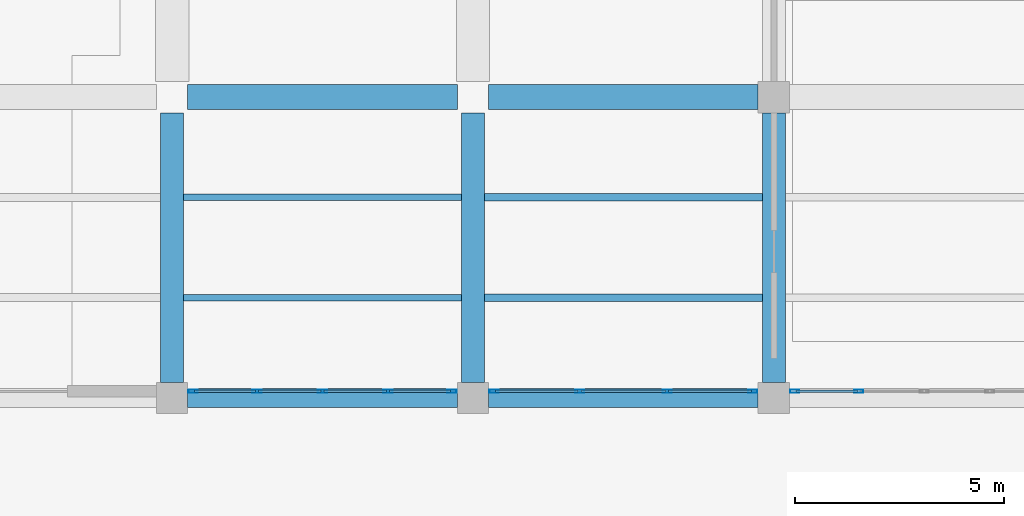
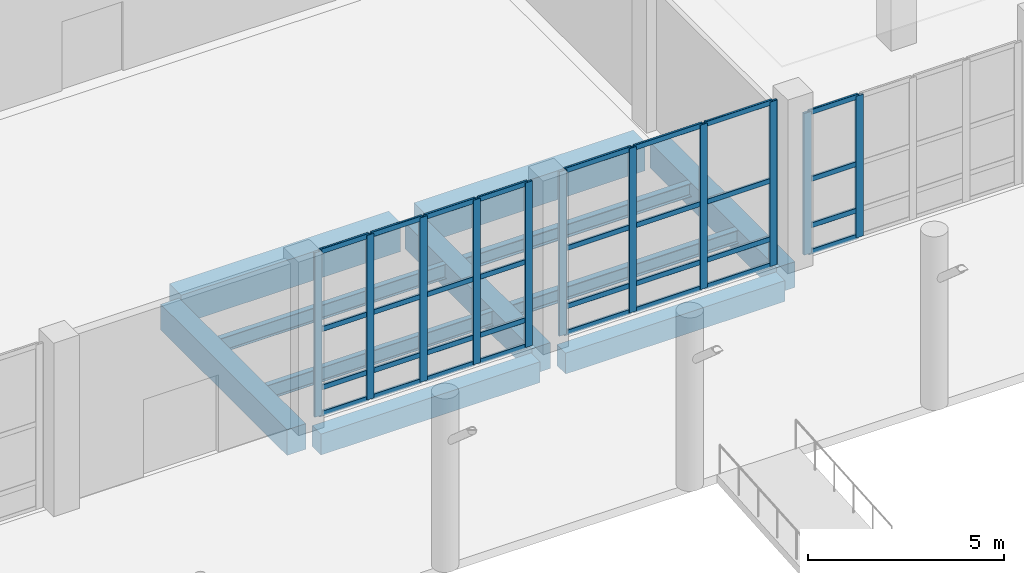
# One storey, part 26 of 137: 43 members, 11 beams, 3 elements without a shape of their own.
"""IFC4 building model written with IfcOpenShell, lengths in metres."""

from ifc_helpers import new_model, si_unit, direction, frame, origin, origin_2d, place, context, subcontext, project, spatial, rectangle, hollow_rectangle, i_section, extrude, material, material_profile, profile_set, type_object, element, aggregate, save


model = new_model("IFC4")

# Units and contexts
model_context = context("Model", 3, precision=1e-05, world=origin(), true_north=direction((0.0, 1.0)))
body_context = subcontext(model_context, "Body", "Model", "MODEL_VIEW")
ifc_project = project(units=[si_unit("LENGTHUNIT", "METRE"), si_unit("AREAUNIT", "SQUARE_METRE"), si_unit("VOLUMEUNIT", "CUBIC_METRE"), si_unit("PLANEANGLEUNIT", "RADIAN"), si_unit("MASSUNIT", "GRAM", prefix="KILO")], contexts=[model_context])

# Site, building, storey
site_placement = place(None, origin())
site = spatial("IfcSite", under=ifc_project, at=site_placement, CompositionType="ELEMENT")
building_placement = place(site_placement, origin())
building = spatial("IfcBuilding", under=site, at=building_placement, Name="Kalmorath City Hall", CompositionType="ELEMENT")
storey_placement = place(building_placement, origin())
storey = spatial("IfcBuildingStorey", under=building, at=storey_placement, Name="L00", CompositionType="ELEMENT", Elevation=0.0)

# Beams
ifc_material_1 = material(Name="Concrete C40/50", Category="concrete")
ifc_material_profile_1 = material_profile(ifc_material_1, rectangle(XDim=0.550048828125, YDim=0.800048828125, at=origin_2d()), Name="RC-BM-550X800")
ifc_profile_set_1 = profile_set([ifc_material_profile_1], Name="Concrete C40/50")
beam_type_1 = type_object("IfcBeamType", Name="Concrete floor girder 550x800", PredefinedType="BEAM", material=ifc_profile_set_1)
for number, where, z_axis, x_axis, name in (
    (1, (64.800048828125, 21.97509765625, -0.7041015625), (0.0, 1.0, 0.0), (-1.0, 0.0, 0.0), "L00 girder CB2 Y10/4-5"),
    (2, (72.0, 21.97509765625, -0.7041015625), (0.0, 1.0, 0.0), (-1.0, 0.0, 0.0), "L00 girder CB2 Y11/4-5"),
    (3, (79.199951171875, 21.97509765625, -0.7041015625), (0.0, 1.0, 0.0), (-1.0, 0.0, 0.0), "L00 girder CB2 Y12/4-5"),
):
    element("IfcBeam", number, at=place(storey_placement, frame(where, z_axis=z_axis, x_axis=x_axis)), inside=storey, type_object=beam_type_1, Name=name, PredefinedType="BEAM", context=body_context, shape_type="SweptSolid", body=[
        extrude(rectangle(XDim=0.550048828125, YDim=0.800048828125, at=origin_2d()), origin(), (0.0, 0.0, 1.0), 6.449951171875),
    ])
ifc_material_2 = material(Name="Concrete C40/50", Category="concrete")
ifc_material_profile_2 = material_profile(ifc_material_2, rectangle(XDim=0.60009765625, YDim=0.89990234375, at=origin_2d()), Name="RC-BM-600X900")
ifc_profile_set_2 = profile_set([ifc_material_profile_2], Name="Concrete C40/50")
beam_type_2 = type_object("IfcBeamType", Name="Concrete floor girder 600x900", PredefinedType="BEAM", material=ifc_profile_set_2)
for number, where, z_axis, x_axis, name in (
    (4, (65.175048828125, 28.800048828125, -0.75390625), (1.0, 0.0, 0.0), (0.0, 1.0, 0.0), "L00 girder CB1 X10-11/5"),
    (5, (72.375, 28.800048828125, -0.75390625), (1.0, 0.0, 0.0), (0.0, 1.0, 0.0), "L00 girder CB1 X11-12/5"),
):
    element("IfcBeam", number, at=place(storey_placement, frame(where, z_axis=z_axis, x_axis=x_axis)), inside=storey, type_object=beam_type_2, Name=name, PredefinedType="BEAM", context=body_context, shape_type="SweptSolid", body=[
        extrude(rectangle(XDim=0.60009765625, YDim=0.89990234375, at=origin_2d()), origin(), (0.0, 0.0, 1.0), 6.449951171875),
    ])
ifc_material_3 = material(Name="Concrete C40/50", Category="concrete")
ifc_material_profile_3 = material_profile(ifc_material_3, rectangle(XDim=0.449951171875, YDim=0.64990234375, at=origin_2d()), Name="RC-BM-450X650")
ifc_profile_set_3 = profile_set([ifc_material_profile_3], Name="Concrete C40/50")
beam_type_3 = type_object("IfcBeamType", Name="Concrete spandrel beam 450x650", PredefinedType="SPANDREL", material=ifc_profile_set_3)
for number, where, z_axis, x_axis, name in (
    (6, (65.175048828125, 21.60009765625, -0.62890625), (1.0, 0.0, 0.0), (0.0, 1.0, 0.0), "L00 girder CB5 X10-11/4"),
    (7, (72.375, 21.60009765625, -0.62890625), (1.0, 0.0, 0.0), (0.0, 1.0, 0.0), "L00 girder CB5 X11-12/4"),
):
    element("IfcBeam", number, at=place(storey_placement, frame(where, z_axis=z_axis, x_axis=x_axis)), inside=storey, type_object=beam_type_3, Name=name, PredefinedType="SPANDREL", context=body_context, shape_type="SweptSolid", body=[
        extrude(rectangle(XDim=0.449951171875, YDim=0.64990234375, at=origin_2d()), origin(), (0.0, 0.0, 1.0), 6.449951171875),
    ])

# Curtain wall, members
ifc_material_4 = material(Name="Anodised aluminium and laminated glass", Category="aluminium")
curtain_wall_type_1 = type_object("IfcCurtainWallType", Name="Unitised hurricane curtain wall 6270x4411 M1500", PredefinedType="NOTDEFINED", material=ifc_material_4)
curtain_wall_1_placement = place(storey_placement, origin())
curtain_wall_1 = element("IfcCurtainWall", 8, at=curtain_wall_1_placement, inside=storey, type_object=curtain_wall_type_1, Name="L00 curtain wall CW-63X44M15 #21", PredefinedType="NOTDEFINED")
ifc_material_5 = material(Name="Anodised aluminium framing", Category="aluminium")
ifc_material_profile_4 = material_profile(ifc_material_5, hollow_rectangle(XDim=0.074951171875, YDim=0.219970703125, WallThickness=0.00390625, InnerFilletRadius=0.00390625, OuterFilletRadius=0.008056640625, at=origin_2d()), Name="ALU-MUL-220X75X4")
ifc_profile_set_4 = profile_set([ifc_material_profile_4], Name="Anodised aluminium framing")
member_type_1 = type_object("IfcMemberType", Name="Curtain-wall primary mullion 220x75", PredefinedType="MULLION", material=ifc_profile_set_4)
member_1_placement = place(storey_placement, frame((81.232421875, 21.760009765625, 0.0), z_axis=(0.0, 0.0, 1.0), x_axis=(0.0, -1.0, 0.0)))
member_1 = element("IfcMember", 9, at=member_1_placement, type_object=member_type_1, Name="CW-63X44M15 mullion 4", PredefinedType="MULLION", context=body_context, shape_type="SweptSolid", body=[
    extrude(hollow_rectangle(XDim=0.074951171875, YDim=0.219970703125, WallThickness=0.00390625, InnerFilletRadius=0.00390625, OuterFilletRadius=0.008056640625, at=origin_2d()), origin(), (0.0, 0.0, 1.0), 4.410888671875),
])
member_2_placement = place(storey_placement, frame((79.702392578125, 21.760009765625, 0.0), z_axis=(0.0, 0.0, 1.0), x_axis=(0.0, -1.0, 0.0)))
member_2 = element("IfcMember", 10, at=member_2_placement, type_object=member_type_1, Name="CW-63X44M15 mullion 5", PredefinedType="MULLION", context=body_context, shape_type="SweptSolid", body=[
    extrude(hollow_rectangle(XDim=0.074951171875, YDim=0.219970703125, WallThickness=0.00390625, InnerFilletRadius=0.00390625, OuterFilletRadius=0.008056640625, at=origin_2d()), origin(), (0.0, 0.0, 1.0), 4.410888671875),
])

ifc_material_6 = material(Name="Anodised aluminium and laminated glass", Category="aluminium")
curtain_wall_type_2 = type_object("IfcCurtainWallType", Name="Unitised hurricane curtain wall 6270x5120 M2100", PredefinedType="NOTDEFINED", material=ifc_material_6)
curtain_wall_2_placement = place(storey_placement, origin())
curtain_wall_2 = element("IfcCurtainWall", 11, at=curtain_wall_2_placement, inside=storey, type_object=curtain_wall_type_2, Name="L00 curtain wall CW-63X51M21 #22", PredefinedType="NOTDEFINED")
member_3_placement = place(storey_placement, frame((78.697509765625, 21.760009765625, 0.0), z_axis=(0.0, 0.0, 1.0), x_axis=(0.0, -1.0, 0.0)))
member_3 = element("IfcMember", 12, at=member_3_placement, type_object=member_type_1, Name="CW-63X51M21 mullion 1", PredefinedType="MULLION", context=body_context, shape_type="SweptSolid", body=[
    extrude(hollow_rectangle(XDim=0.074951171875, YDim=0.219970703125, WallThickness=0.00390625, InnerFilletRadius=0.00390625, OuterFilletRadius=0.008056640625, at=origin_2d()), origin(), (0.0, 0.0, 1.0), 5.1201171875),
])
member_4_placement = place(storey_placement, frame((76.64501953125, 21.760009765625, 0.0), z_axis=(0.0, 0.0, 1.0), x_axis=(0.0, -1.0, 0.0)))
member_4 = element("IfcMember", 13, at=member_4_placement, type_object=member_type_1, Name="CW-63X51M21 mullion 2", PredefinedType="MULLION", context=body_context, shape_type="SweptSolid", body=[
    extrude(hollow_rectangle(XDim=0.074951171875, YDim=0.219970703125, WallThickness=0.00390625, InnerFilletRadius=0.00390625, OuterFilletRadius=0.008056640625, at=origin_2d()), origin(), (0.0, 0.0, 1.0), 5.1201171875),
])
member_5_placement = place(storey_placement, frame((74.554931640625, 21.760009765625, 0.0), z_axis=(0.0, 0.0, 1.0), x_axis=(0.0, -1.0, 0.0)))
member_5 = element("IfcMember", 14, at=member_5_placement, type_object=member_type_1, Name="CW-63X51M21 mullion 3", PredefinedType="MULLION", context=body_context, shape_type="SweptSolid", body=[
    extrude(hollow_rectangle(XDim=0.074951171875, YDim=0.219970703125, WallThickness=0.00390625, InnerFilletRadius=0.00390625, OuterFilletRadius=0.008056640625, at=origin_2d()), origin(), (0.0, 0.0, 1.0), 5.1201171875),
])
member_6_placement = place(storey_placement, frame((72.50244140625, 21.760009765625, 0.0), z_axis=(0.0, 0.0, 1.0), x_axis=(0.0, -1.0, 0.0)))
member_6 = element("IfcMember", 15, at=member_6_placement, type_object=member_type_1, Name="CW-63X51M21 mullion 4", PredefinedType="MULLION", context=body_context, shape_type="SweptSolid", body=[
    extrude(hollow_rectangle(XDim=0.074951171875, YDim=0.219970703125, WallThickness=0.00390625, InnerFilletRadius=0.00390625, OuterFilletRadius=0.008056640625, at=origin_2d()), origin(), (0.0, 0.0, 1.0), 5.1201171875),
])

ifc_material_7 = material(Name="Anodised aluminium and laminated glass", Category="aluminium")
curtain_wall_type_3 = type_object("IfcCurtainWallType", Name="Unitised hurricane curtain wall 6270x5120 M1500", PredefinedType="NOTDEFINED", material=ifc_material_7)
curtain_wall_3_placement = place(storey_placement, origin())
curtain_wall_3 = element("IfcCurtainWall", 16, at=curtain_wall_3_placement, inside=storey, type_object=curtain_wall_type_3, Name="L00 curtain wall CW-63X51M15 #23", PredefinedType="NOTDEFINED")
member_7_placement = place(storey_placement, frame((71.49755859375, 21.760009765625, 0.0), z_axis=(0.0, 0.0, 1.0), x_axis=(0.0, -1.0, 0.0)))
member_7 = element("IfcMember", 17, at=member_7_placement, type_object=member_type_1, Name="CW-63X51M15 mullion 1", PredefinedType="MULLION", context=body_context, shape_type="SweptSolid", body=[
    extrude(hollow_rectangle(XDim=0.074951171875, YDim=0.219970703125, WallThickness=0.00390625, InnerFilletRadius=0.00390625, OuterFilletRadius=0.008056640625, at=origin_2d()), origin(), (0.0, 0.0, 1.0), 5.1201171875),
])
member_8_placement = place(storey_placement, frame((69.967529296875, 21.760009765625, 0.0), z_axis=(0.0, 0.0, 1.0), x_axis=(0.0, -1.0, 0.0)))
member_8 = element("IfcMember", 18, at=member_8_placement, type_object=member_type_1, Name="CW-63X51M15 mullion 2", PredefinedType="MULLION", context=body_context, shape_type="SweptSolid", body=[
    extrude(hollow_rectangle(XDim=0.074951171875, YDim=0.219970703125, WallThickness=0.00390625, InnerFilletRadius=0.00390625, OuterFilletRadius=0.008056640625, at=origin_2d()), origin(), (0.0, 0.0, 1.0), 5.1201171875),
])
member_9_placement = place(storey_placement, frame((68.39990234375, 21.760009765625, 0.0), z_axis=(0.0, 0.0, 1.0), x_axis=(0.0, -1.0, 0.0)))
member_9 = element("IfcMember", 19, at=member_9_placement, type_object=member_type_1, Name="CW-63X51M15 mullion 3", PredefinedType="MULLION", context=body_context, shape_type="SweptSolid", body=[
    extrude(hollow_rectangle(XDim=0.074951171875, YDim=0.219970703125, WallThickness=0.00390625, InnerFilletRadius=0.00390625, OuterFilletRadius=0.008056640625, at=origin_2d()), origin(), (0.0, 0.0, 1.0), 5.1201171875),
])
member_10_placement = place(storey_placement, frame((66.83251953125, 21.760009765625, 0.0), z_axis=(0.0, 0.0, 1.0), x_axis=(0.0, -1.0, 0.0)))
member_10 = element("IfcMember", 20, at=member_10_placement, type_object=member_type_1, Name="CW-63X51M15 mullion 4", PredefinedType="MULLION", context=body_context, shape_type="SweptSolid", body=[
    extrude(hollow_rectangle(XDim=0.074951171875, YDim=0.219970703125, WallThickness=0.00390625, InnerFilletRadius=0.00390625, OuterFilletRadius=0.008056640625, at=origin_2d()), origin(), (0.0, 0.0, 1.0), 5.1201171875),
])
member_11_placement = place(storey_placement, frame((65.302490234375, 21.760009765625, 0.0), z_axis=(0.0, 0.0, 1.0), x_axis=(0.0, -1.0, 0.0)))
member_11 = element("IfcMember", 21, at=member_11_placement, type_object=member_type_1, Name="CW-63X51M15 mullion 5", PredefinedType="MULLION", context=body_context, shape_type="SweptSolid", body=[
    extrude(hollow_rectangle(XDim=0.074951171875, YDim=0.219970703125, WallThickness=0.00390625, InnerFilletRadius=0.00390625, OuterFilletRadius=0.008056640625, at=origin_2d()), origin(), (0.0, 0.0, 1.0), 5.1201171875),
])

# Member
ifc_material_8 = material(Name="Anodised aluminium framing", Category="aluminium")
ifc_material_profile_5 = material_profile(ifc_material_8, hollow_rectangle(XDim=0.06494140625, YDim=0.159912109375, WallThickness=0.00390625, InnerFilletRadius=0.00390625, OuterFilletRadius=0.008056640625, at=origin_2d()), Name="ALU-TRN-160X65X4")
ifc_profile_set_5 = profile_set([ifc_material_profile_5], Name="Anodised aluminium framing")
member_type_2 = type_object("IfcMemberType", Name="Curtain-wall primary transom 160x65", PredefinedType="USERDEFINED", material=ifc_profile_set_5)
member_12_placement = place(storey_placement, frame((81.195068359375, 21.760009765625, 0.032470703125), z_axis=(-1.0, 0.0, 0.0), x_axis=(0.0, -1.0, 0.0)))
member_12 = element("IfcMember", 22, at=member_12_placement, type_object=member_type_2, Name="CW-63X44M15 transom 4.1", ObjectType="TRANSOM", PredefinedType="USERDEFINED", context=body_context, shape_type="SweptSolid", body=[
    extrude(hollow_rectangle(XDim=0.06494140625, YDim=0.159912109375, WallThickness=0.00390625, InnerFilletRadius=0.00390625, OuterFilletRadius=0.008056640625, at=origin_2d()), origin(), (0.0, 0.0, 1.0), 1.455078125),
])

member_13_placement = place(storey_placement, frame((81.195068359375, 21.760009765625, 0.85009765625), z_axis=(-1.0, 0.0, 0.0), x_axis=(0.0, -1.0, 0.0)))
member_13 = element("IfcMember", 23, at=member_13_placement, type_object=member_type_2, Name="CW-63X44M15 transom 4.2", ObjectType="TRANSOM", PredefinedType="USERDEFINED", context=body_context, shape_type="SweptSolid", body=[
    extrude(hollow_rectangle(XDim=0.06494140625, YDim=0.159912109375, WallThickness=0.00390625, InnerFilletRadius=0.00390625, OuterFilletRadius=0.008056640625, at=origin_2d()), origin(), (0.0, 0.0, 1.0), 1.455078125),
])

member_14_placement = place(storey_placement, frame((81.195068359375, 21.760009765625, 2.2939453125), z_axis=(-1.0, 0.0, 0.0), x_axis=(0.0, -1.0, 0.0)))
member_14 = element("IfcMember", 24, at=member_14_placement, type_object=member_type_2, Name="CW-63X44M15 transom 4.3", ObjectType="TRANSOM", PredefinedType="USERDEFINED", context=body_context, shape_type="SweptSolid", body=[
    extrude(hollow_rectangle(XDim=0.06494140625, YDim=0.159912109375, WallThickness=0.00390625, InnerFilletRadius=0.00390625, OuterFilletRadius=0.008056640625, at=origin_2d()), origin(), (0.0, 0.0, 1.0), 1.455078125),
])

member_15_placement = place(storey_placement, frame((81.195068359375, 21.760009765625, 4.37841796875), z_axis=(-1.0, 0.0, 0.0), x_axis=(0.0, -1.0, 0.0)))
member_15 = element("IfcMember", 25, at=member_15_placement, type_object=member_type_2, Name="CW-63X44M15 transom 4.4", ObjectType="TRANSOM", PredefinedType="USERDEFINED", context=body_context, shape_type="SweptSolid", body=[
    extrude(hollow_rectangle(XDim=0.06494140625, YDim=0.159912109375, WallThickness=0.00390625, InnerFilletRadius=0.00390625, OuterFilletRadius=0.008056640625, at=origin_2d()), origin(), (0.0, 0.0, 1.0), 1.455078125),
])

aggregate(curtain_wall_1, [member_1, member_2, member_12, member_13, member_14, member_15])

member_16_placement = place(storey_placement, frame((78.659912109375, 21.760009765625, 0.032470703125), z_axis=(-1.0, 0.0, 0.0), x_axis=(0.0, -1.0, 0.0)))
member_16 = element("IfcMember", 26, at=member_16_placement, type_object=member_type_2, Name="CW-63X51M21 transom 1.1", ObjectType="TRANSOM", PredefinedType="USERDEFINED", context=body_context, shape_type="SweptSolid", body=[
    extrude(hollow_rectangle(XDim=0.06494140625, YDim=0.159912109375, WallThickness=0.00390625, InnerFilletRadius=0.00390625, OuterFilletRadius=0.008056640625, at=origin_2d()), origin(), (0.0, 0.0, 1.0), 1.977294921875),
])

member_17_placement = place(storey_placement, frame((78.659912109375, 21.760009765625, 0.85009765625), z_axis=(-1.0, 0.0, 0.0), x_axis=(0.0, -1.0, 0.0)))
member_17 = element("IfcMember", 27, at=member_17_placement, type_object=member_type_2, Name="CW-63X51M21 transom 1.2", ObjectType="TRANSOM", PredefinedType="USERDEFINED", context=body_context, shape_type="SweptSolid", body=[
    extrude(hollow_rectangle(XDim=0.06494140625, YDim=0.159912109375, WallThickness=0.00390625, InnerFilletRadius=0.00390625, OuterFilletRadius=0.008056640625, at=origin_2d()), origin(), (0.0, 0.0, 1.0), 1.977294921875),
])

member_18_placement = place(storey_placement, frame((78.659912109375, 21.760009765625, 2.662109375), z_axis=(-1.0, 0.0, 0.0), x_axis=(0.0, -1.0, 0.0)))
member_18 = element("IfcMember", 28, at=member_18_placement, type_object=member_type_2, Name="CW-63X51M21 transom 1.3", ObjectType="TRANSOM", PredefinedType="USERDEFINED", context=body_context, shape_type="SweptSolid", body=[
    extrude(hollow_rectangle(XDim=0.06494140625, YDim=0.159912109375, WallThickness=0.00390625, InnerFilletRadius=0.00390625, OuterFilletRadius=0.008056640625, at=origin_2d()), origin(), (0.0, 0.0, 1.0), 1.977294921875),
])

member_19_placement = place(storey_placement, frame((78.659912109375, 21.760009765625, 5.08740234375), z_axis=(-1.0, 0.0, 0.0), x_axis=(0.0, -1.0, 0.0)))
member_19 = element("IfcMember", 29, at=member_19_placement, type_object=member_type_2, Name="CW-63X51M21 transom 1.4", ObjectType="TRANSOM", PredefinedType="USERDEFINED", context=body_context, shape_type="SweptSolid", body=[
    extrude(hollow_rectangle(XDim=0.06494140625, YDim=0.159912109375, WallThickness=0.00390625, InnerFilletRadius=0.00390625, OuterFilletRadius=0.008056640625, at=origin_2d()), origin(), (0.0, 0.0, 1.0), 1.977294921875),
])

member_20_placement = place(storey_placement, frame((76.607421875, 21.760009765625, 0.032470703125), z_axis=(-1.0, 0.0, 0.0), x_axis=(0.0, -1.0, 0.0)))
member_20 = element("IfcMember", 30, at=member_20_placement, type_object=member_type_2, Name="CW-63X51M21 transom 2.1", ObjectType="TRANSOM", PredefinedType="USERDEFINED", context=body_context, shape_type="SweptSolid", body=[
    extrude(hollow_rectangle(XDim=0.06494140625, YDim=0.159912109375, WallThickness=0.00390625, InnerFilletRadius=0.00390625, OuterFilletRadius=0.008056640625, at=origin_2d()), origin(), (0.0, 0.0, 1.0), 2.014892578125),
])

member_21_placement = place(storey_placement, frame((76.607421875, 21.760009765625, 0.85009765625), z_axis=(-1.0, 0.0, 0.0), x_axis=(0.0, -1.0, 0.0)))
member_21 = element("IfcMember", 31, at=member_21_placement, type_object=member_type_2, Name="CW-63X51M21 transom 2.2", ObjectType="TRANSOM", PredefinedType="USERDEFINED", context=body_context, shape_type="SweptSolid", body=[
    extrude(hollow_rectangle(XDim=0.06494140625, YDim=0.159912109375, WallThickness=0.00390625, InnerFilletRadius=0.00390625, OuterFilletRadius=0.008056640625, at=origin_2d()), origin(), (0.0, 0.0, 1.0), 2.014892578125),
])

member_22_placement = place(storey_placement, frame((76.607421875, 21.760009765625, 2.662109375), z_axis=(-1.0, 0.0, 0.0), x_axis=(0.0, -1.0, 0.0)))
member_22 = element("IfcMember", 32, at=member_22_placement, type_object=member_type_2, Name="CW-63X51M21 transom 2.3", ObjectType="TRANSOM", PredefinedType="USERDEFINED", context=body_context, shape_type="SweptSolid", body=[
    extrude(hollow_rectangle(XDim=0.06494140625, YDim=0.159912109375, WallThickness=0.00390625, InnerFilletRadius=0.00390625, OuterFilletRadius=0.008056640625, at=origin_2d()), origin(), (0.0, 0.0, 1.0), 2.014892578125),
])

member_23_placement = place(storey_placement, frame((76.607421875, 21.760009765625, 5.08740234375), z_axis=(-1.0, 0.0, 0.0), x_axis=(0.0, -1.0, 0.0)))
member_23 = element("IfcMember", 33, at=member_23_placement, type_object=member_type_2, Name="CW-63X51M21 transom 2.4", ObjectType="TRANSOM", PredefinedType="USERDEFINED", context=body_context, shape_type="SweptSolid", body=[
    extrude(hollow_rectangle(XDim=0.06494140625, YDim=0.159912109375, WallThickness=0.00390625, InnerFilletRadius=0.00390625, OuterFilletRadius=0.008056640625, at=origin_2d()), origin(), (0.0, 0.0, 1.0), 2.014892578125),
])

member_24_placement = place(storey_placement, frame((74.517578125, 21.760009765625, 0.032470703125), z_axis=(-1.0, 0.0, 0.0), x_axis=(0.0, -1.0, 0.0)))
member_24 = element("IfcMember", 34, at=member_24_placement, type_object=member_type_2, Name="CW-63X51M21 transom 3.1", ObjectType="TRANSOM", PredefinedType="USERDEFINED", context=body_context, shape_type="SweptSolid", body=[
    extrude(hollow_rectangle(XDim=0.06494140625, YDim=0.159912109375, WallThickness=0.00390625, InnerFilletRadius=0.00390625, OuterFilletRadius=0.008056640625, at=origin_2d()), origin(), (0.0, 0.0, 1.0), 1.9775390625),
])

member_25_placement = place(storey_placement, frame((74.517578125, 21.760009765625, 0.85009765625), z_axis=(-1.0, 0.0, 0.0), x_axis=(0.0, -1.0, 0.0)))
member_25 = element("IfcMember", 35, at=member_25_placement, type_object=member_type_2, Name="CW-63X51M21 transom 3.2", ObjectType="TRANSOM", PredefinedType="USERDEFINED", context=body_context, shape_type="SweptSolid", body=[
    extrude(hollow_rectangle(XDim=0.06494140625, YDim=0.159912109375, WallThickness=0.00390625, InnerFilletRadius=0.00390625, OuterFilletRadius=0.008056640625, at=origin_2d()), origin(), (0.0, 0.0, 1.0), 1.9775390625),
])

member_26_placement = place(storey_placement, frame((74.517578125, 21.760009765625, 2.662109375), z_axis=(-1.0, 0.0, 0.0), x_axis=(0.0, -1.0, 0.0)))
member_26 = element("IfcMember", 36, at=member_26_placement, type_object=member_type_2, Name="CW-63X51M21 transom 3.3", ObjectType="TRANSOM", PredefinedType="USERDEFINED", context=body_context, shape_type="SweptSolid", body=[
    extrude(hollow_rectangle(XDim=0.06494140625, YDim=0.159912109375, WallThickness=0.00390625, InnerFilletRadius=0.00390625, OuterFilletRadius=0.008056640625, at=origin_2d()), origin(), (0.0, 0.0, 1.0), 1.9775390625),
])

member_27_placement = place(storey_placement, frame((74.517578125, 21.760009765625, 5.08740234375), z_axis=(-1.0, 0.0, 0.0), x_axis=(0.0, -1.0, 0.0)))
member_27 = element("IfcMember", 37, at=member_27_placement, type_object=member_type_2, Name="CW-63X51M21 transom 3.4", ObjectType="TRANSOM", PredefinedType="USERDEFINED", context=body_context, shape_type="SweptSolid", body=[
    extrude(hollow_rectangle(XDim=0.06494140625, YDim=0.159912109375, WallThickness=0.00390625, InnerFilletRadius=0.00390625, OuterFilletRadius=0.008056640625, at=origin_2d()), origin(), (0.0, 0.0, 1.0), 1.9775390625),
])

aggregate(curtain_wall_2, [member_3, member_4, member_5, member_6, member_16, member_17, member_18, member_19, member_20, member_21, member_22, member_23, member_24, member_25, member_26, member_27])

member_28_placement = place(storey_placement, frame((71.4599609375, 21.760009765625, 0.032470703125), z_axis=(-1.0, 0.0, 0.0), x_axis=(0.0, -1.0, 0.0)))
member_28 = element("IfcMember", 38, at=member_28_placement, type_object=member_type_2, Name="CW-63X51M15 transom 1.1", ObjectType="TRANSOM", PredefinedType="USERDEFINED", context=body_context, shape_type="SweptSolid", body=[
    extrude(hollow_rectangle(XDim=0.06494140625, YDim=0.159912109375, WallThickness=0.00390625, InnerFilletRadius=0.00390625, OuterFilletRadius=0.008056640625, at=origin_2d()), origin(), (0.0, 0.0, 1.0), 1.455078125),
])

member_29_placement = place(storey_placement, frame((71.4599609375, 21.760009765625, 0.85009765625), z_axis=(-1.0, 0.0, 0.0), x_axis=(0.0, -1.0, 0.0)))
member_29 = element("IfcMember", 39, at=member_29_placement, type_object=member_type_2, Name="CW-63X51M15 transom 1.2", ObjectType="TRANSOM", PredefinedType="USERDEFINED", context=body_context, shape_type="SweptSolid", body=[
    extrude(hollow_rectangle(XDim=0.06494140625, YDim=0.159912109375, WallThickness=0.00390625, InnerFilletRadius=0.00390625, OuterFilletRadius=0.008056640625, at=origin_2d()), origin(), (0.0, 0.0, 1.0), 1.455078125),
])

member_30_placement = place(storey_placement, frame((71.4599609375, 21.760009765625, 2.662109375), z_axis=(-1.0, 0.0, 0.0), x_axis=(0.0, -1.0, 0.0)))
member_30 = element("IfcMember", 40, at=member_30_placement, type_object=member_type_2, Name="CW-63X51M15 transom 1.3", ObjectType="TRANSOM", PredefinedType="USERDEFINED", context=body_context, shape_type="SweptSolid", body=[
    extrude(hollow_rectangle(XDim=0.06494140625, YDim=0.159912109375, WallThickness=0.00390625, InnerFilletRadius=0.00390625, OuterFilletRadius=0.008056640625, at=origin_2d()), origin(), (0.0, 0.0, 1.0), 1.455078125),
])

member_31_placement = place(storey_placement, frame((71.4599609375, 21.760009765625, 5.08740234375), z_axis=(-1.0, 0.0, 0.0), x_axis=(0.0, -1.0, 0.0)))
member_31 = element("IfcMember", 41, at=member_31_placement, type_object=member_type_2, Name="CW-63X51M15 transom 1.4", ObjectType="TRANSOM", PredefinedType="USERDEFINED", context=body_context, shape_type="SweptSolid", body=[
    extrude(hollow_rectangle(XDim=0.06494140625, YDim=0.159912109375, WallThickness=0.00390625, InnerFilletRadius=0.00390625, OuterFilletRadius=0.008056640625, at=origin_2d()), origin(), (0.0, 0.0, 1.0), 1.455078125),
])

member_32_placement = place(storey_placement, frame((69.929931640625, 21.760009765625, 0.032470703125), z_axis=(-1.0, 0.0, 0.0), x_axis=(0.0, -1.0, 0.0)))
member_32 = element("IfcMember", 42, at=member_32_placement, type_object=member_type_2, Name="CW-63X51M15 transom 2.1", ObjectType="TRANSOM", PredefinedType="USERDEFINED", context=body_context, shape_type="SweptSolid", body=[
    extrude(hollow_rectangle(XDim=0.06494140625, YDim=0.159912109375, WallThickness=0.00390625, InnerFilletRadius=0.00390625, OuterFilletRadius=0.008056640625, at=origin_2d()), origin(), (0.0, 0.0, 1.0), 1.492431640625),
])

member_33_placement = place(storey_placement, frame((69.929931640625, 21.760009765625, 0.85009765625), z_axis=(-1.0, 0.0, 0.0), x_axis=(0.0, -1.0, 0.0)))
member_33 = element("IfcMember", 43, at=member_33_placement, type_object=member_type_2, Name="CW-63X51M15 transom 2.2", ObjectType="TRANSOM", PredefinedType="USERDEFINED", context=body_context, shape_type="SweptSolid", body=[
    extrude(hollow_rectangle(XDim=0.06494140625, YDim=0.159912109375, WallThickness=0.00390625, InnerFilletRadius=0.00390625, OuterFilletRadius=0.008056640625, at=origin_2d()), origin(), (0.0, 0.0, 1.0), 1.492431640625),
])

member_34_placement = place(storey_placement, frame((69.929931640625, 21.760009765625, 2.662109375), z_axis=(-1.0, 0.0, 0.0), x_axis=(0.0, -1.0, 0.0)))
member_34 = element("IfcMember", 44, at=member_34_placement, type_object=member_type_2, Name="CW-63X51M15 transom 2.3", ObjectType="TRANSOM", PredefinedType="USERDEFINED", context=body_context, shape_type="SweptSolid", body=[
    extrude(hollow_rectangle(XDim=0.06494140625, YDim=0.159912109375, WallThickness=0.00390625, InnerFilletRadius=0.00390625, OuterFilletRadius=0.008056640625, at=origin_2d()), origin(), (0.0, 0.0, 1.0), 1.492431640625),
])

member_35_placement = place(storey_placement, frame((69.929931640625, 21.760009765625, 5.08740234375), z_axis=(-1.0, 0.0, 0.0), x_axis=(0.0, -1.0, 0.0)))
member_35 = element("IfcMember", 45, at=member_35_placement, type_object=member_type_2, Name="CW-63X51M15 transom 2.4", ObjectType="TRANSOM", PredefinedType="USERDEFINED", context=body_context, shape_type="SweptSolid", body=[
    extrude(hollow_rectangle(XDim=0.06494140625, YDim=0.159912109375, WallThickness=0.00390625, InnerFilletRadius=0.00390625, OuterFilletRadius=0.008056640625, at=origin_2d()), origin(), (0.0, 0.0, 1.0), 1.492431640625),
])

member_36_placement = place(storey_placement, frame((68.362548828125, 21.760009765625, 0.032470703125), z_axis=(-1.0, 0.0, 0.0), x_axis=(0.0, -1.0, 0.0)))
member_36 = element("IfcMember", 46, at=member_36_placement, type_object=member_type_2, Name="CW-63X51M15 transom 3.1", ObjectType="TRANSOM", PredefinedType="USERDEFINED", context=body_context, shape_type="SweptSolid", body=[
    extrude(hollow_rectangle(XDim=0.06494140625, YDim=0.159912109375, WallThickness=0.00390625, InnerFilletRadius=0.00390625, OuterFilletRadius=0.008056640625, at=origin_2d()), origin(), (0.0, 0.0, 1.0), 1.492431640625),
])

member_37_placement = place(storey_placement, frame((68.362548828125, 21.760009765625, 0.85009765625), z_axis=(-1.0, 0.0, 0.0), x_axis=(0.0, -1.0, 0.0)))
member_37 = element("IfcMember", 47, at=member_37_placement, type_object=member_type_2, Name="CW-63X51M15 transom 3.2", ObjectType="TRANSOM", PredefinedType="USERDEFINED", context=body_context, shape_type="SweptSolid", body=[
    extrude(hollow_rectangle(XDim=0.06494140625, YDim=0.159912109375, WallThickness=0.00390625, InnerFilletRadius=0.00390625, OuterFilletRadius=0.008056640625, at=origin_2d()), origin(), (0.0, 0.0, 1.0), 1.492431640625),
])

member_38_placement = place(storey_placement, frame((68.362548828125, 21.760009765625, 2.662109375), z_axis=(-1.0, 0.0, 0.0), x_axis=(0.0, -1.0, 0.0)))
member_38 = element("IfcMember", 48, at=member_38_placement, type_object=member_type_2, Name="CW-63X51M15 transom 3.3", ObjectType="TRANSOM", PredefinedType="USERDEFINED", context=body_context, shape_type="SweptSolid", body=[
    extrude(hollow_rectangle(XDim=0.06494140625, YDim=0.159912109375, WallThickness=0.00390625, InnerFilletRadius=0.00390625, OuterFilletRadius=0.008056640625, at=origin_2d()), origin(), (0.0, 0.0, 1.0), 1.492431640625),
])

member_39_placement = place(storey_placement, frame((68.362548828125, 21.760009765625, 5.08740234375), z_axis=(-1.0, 0.0, 0.0), x_axis=(0.0, -1.0, 0.0)))
member_39 = element("IfcMember", 49, at=member_39_placement, type_object=member_type_2, Name="CW-63X51M15 transom 3.4", ObjectType="TRANSOM", PredefinedType="USERDEFINED", context=body_context, shape_type="SweptSolid", body=[
    extrude(hollow_rectangle(XDim=0.06494140625, YDim=0.159912109375, WallThickness=0.00390625, InnerFilletRadius=0.00390625, OuterFilletRadius=0.008056640625, at=origin_2d()), origin(), (0.0, 0.0, 1.0), 1.492431640625),
])

member_40_placement = place(storey_placement, frame((66.794921875, 21.760009765625, 0.032470703125), z_axis=(-1.0, 0.0, 0.0), x_axis=(0.0, -1.0, 0.0)))
member_40 = element("IfcMember", 50, at=member_40_placement, type_object=member_type_2, Name="CW-63X51M15 transom 4.1", ObjectType="TRANSOM", PredefinedType="USERDEFINED", context=body_context, shape_type="SweptSolid", body=[
    extrude(hollow_rectangle(XDim=0.06494140625, YDim=0.159912109375, WallThickness=0.00390625, InnerFilletRadius=0.00390625, OuterFilletRadius=0.008056640625, at=origin_2d()), origin(), (0.0, 0.0, 1.0), 1.454833984375),
])

member_41_placement = place(storey_placement, frame((66.794921875, 21.760009765625, 0.85009765625), z_axis=(-1.0, 0.0, 0.0), x_axis=(0.0, -1.0, 0.0)))
member_41 = element("IfcMember", 51, at=member_41_placement, type_object=member_type_2, Name="CW-63X51M15 transom 4.2", ObjectType="TRANSOM", PredefinedType="USERDEFINED", context=body_context, shape_type="SweptSolid", body=[
    extrude(hollow_rectangle(XDim=0.06494140625, YDim=0.159912109375, WallThickness=0.00390625, InnerFilletRadius=0.00390625, OuterFilletRadius=0.008056640625, at=origin_2d()), origin(), (0.0, 0.0, 1.0), 1.454833984375),
])

member_42_placement = place(storey_placement, frame((66.794921875, 21.760009765625, 2.662109375), z_axis=(-1.0, 0.0, 0.0), x_axis=(0.0, -1.0, 0.0)))
member_42 = element("IfcMember", 52, at=member_42_placement, type_object=member_type_2, Name="CW-63X51M15 transom 4.3", ObjectType="TRANSOM", PredefinedType="USERDEFINED", context=body_context, shape_type="SweptSolid", body=[
    extrude(hollow_rectangle(XDim=0.06494140625, YDim=0.159912109375, WallThickness=0.00390625, InnerFilletRadius=0.00390625, OuterFilletRadius=0.008056640625, at=origin_2d()), origin(), (0.0, 0.0, 1.0), 1.454833984375),
])

member_43_placement = place(storey_placement, frame((66.794921875, 21.760009765625, 5.08740234375), z_axis=(-1.0, 0.0, 0.0), x_axis=(0.0, -1.0, 0.0)))
member_43 = element("IfcMember", 53, at=member_43_placement, type_object=member_type_2, Name="CW-63X51M15 transom 4.4", ObjectType="TRANSOM", PredefinedType="USERDEFINED", context=body_context, shape_type="SweptSolid", body=[
    extrude(hollow_rectangle(XDim=0.06494140625, YDim=0.159912109375, WallThickness=0.00390625, InnerFilletRadius=0.00390625, OuterFilletRadius=0.008056640625, at=origin_2d()), origin(), (0.0, 0.0, 1.0), 1.454833984375),
])

aggregate(curtain_wall_3, [member_7, member_8, member_9, member_10, member_11, member_28, member_29, member_30, member_31, member_32, member_33, member_34, member_35, member_36, member_37, member_38, member_39, member_40, member_41, member_42, member_43])

# Beams
ifc_material_9 = material(Name="Steel ASTM A992 Grade 50", Category="steel")
ifc_material_profile_6 = material_profile(ifc_material_9, i_section(OverallWidth=0.180908203125, OverallDepth=0.4169921875, WebThickness=0.010986328125, FlangeThickness=0.018310546875, FilletRadius=0.012939453125, at=origin_2d()), Name="W16X57")
ifc_profile_set_6 = profile_set([ifc_material_profile_6], Name="Steel ASTM A992 Grade 50")
beam_type_4 = type_object("IfcBeamType", Name="Steel composite joist W16X57", PredefinedType="JOIST", material=ifc_profile_set_6)
for number, where, z_axis, x_axis, name in (
    (54, (72.27490234375, 24.0, -0.512451171875), (1.0, 0.0, 0.0), (0.0, 1.0, 0.0), "L00 joist SJ5 11.4.1"),
    (55, (72.27490234375, 26.39990234375, -0.512451171875), (1.0, 0.0, 0.0), (0.0, 1.0, 0.0), "L00 joist SJ5 11.4.2"),
):
    element("IfcBeam", number, at=place(storey_placement, frame(where, z_axis=z_axis, x_axis=x_axis)), inside=storey, type_object=beam_type_4, Name=name, PredefinedType="JOIST", context=body_context, shape_type="SweptSolid", body=[
        extrude(i_section(OverallWidth=0.180908203125, OverallDepth=0.4169921875, WebThickness=0.010986328125, FlangeThickness=0.018310546875, FilletRadius=0.012939453125, at=origin_2d()), origin(), (0.0, 0.0, 1.0), 6.650146484375),
    ])
ifc_material_10 = material(Name="Steel ASTM A992 Grade 50", Category="steel")
ifc_material_profile_7 = material_profile(ifc_material_10, i_section(OverallWidth=0.153076171875, OverallDepth=0.455078125, WebThickness=0.008056640625, FlangeThickness=0.01318359375, FilletRadius=0.013916015625, at=origin_2d()), Name="W18X40")
ifc_profile_set_7 = profile_set([ifc_material_profile_7], Name="Steel ASTM A992 Grade 50")
beam_type_5 = type_object("IfcBeamType", Name="Steel composite joist W18X40", PredefinedType="JOIST", material=ifc_profile_set_7)
for number, where, z_axis, x_axis, name in (
    (56, (65.074951171875, 24.0, -0.531494140625), (1.0, 0.0, 0.0), (0.0, 1.0, 0.0), "L00 joist SJ4 10.4.1"),
    (57, (65.074951171875, 26.39990234375, -0.531494140625), (1.0, 0.0, 0.0), (0.0, 1.0, 0.0), "L00 joist SJ4 10.4.2"),
):
    element("IfcBeam", number, at=place(storey_placement, frame(where, z_axis=z_axis, x_axis=x_axis)), inside=storey, type_object=beam_type_5, Name=name, PredefinedType="JOIST", context=body_context, shape_type="SweptSolid", body=[
        extrude(i_section(OverallWidth=0.153076171875, OverallDepth=0.455078125, WebThickness=0.008056640625, FlangeThickness=0.01318359375, FilletRadius=0.013916015625, at=origin_2d()), origin(), (0.0, 0.0, 1.0), 6.650146484375),
    ])

save(model, "model.ifc")
